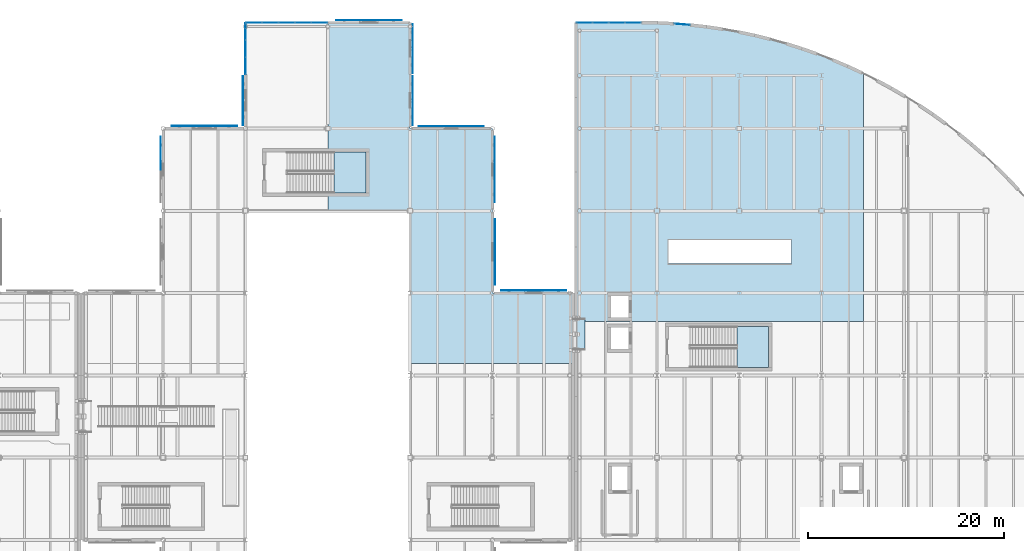
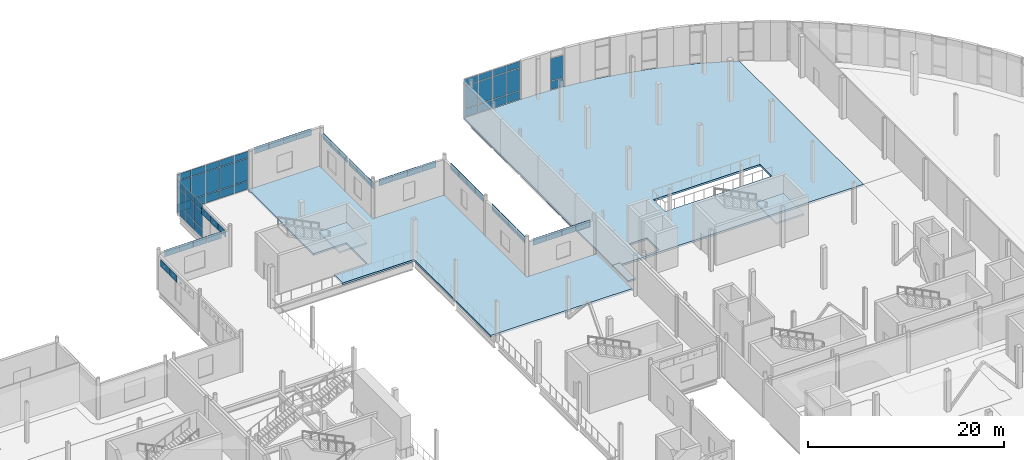
# One storey, part 62 of 104: 73 plates, 5 slabs, 6 elements without a shape of their own.
"""IFC4 building model written with IfcOpenShell, lengths in metres."""

from ifc_helpers import new_model, si_unit, direction, frame, origin, origin_2d, place, context, subcontext, project, spatial, polyline, rectangle, outline, extrude, material, layer, layer_set, type_object, element, aggregate, save


model = new_model("IFC4")

# Units and contexts
model_context = context("Model", 3, precision=1e-05, world=origin(), true_north=direction((0.0, 1.0)))
body_context = subcontext(model_context, "Body", "Model", "MODEL_VIEW")
ifc_project = project(units=[si_unit("LENGTHUNIT", "METRE"), si_unit("AREAUNIT", "SQUARE_METRE"), si_unit("VOLUMEUNIT", "CUBIC_METRE"), si_unit("PLANEANGLEUNIT", "RADIAN"), si_unit("MASSUNIT", "GRAM", prefix="KILO"), si_unit("THERMODYNAMICTEMPERATUREUNIT", "KELVIN")], contexts=[model_context])

# Site, building, storey
site_placement = place(None, origin())
site = spatial("IfcSite", under=ifc_project, at=site_placement, CompositionType="ELEMENT")
building_placement = place(site_placement, origin())
building = spatial("IfcBuilding", under=site, at=building_placement, Name="Lustrewick Department Store", CompositionType="ELEMENT")
storey_placement = place(building_placement, frame((0.0, 0.0, 11.39990234375)))
storey = spatial("IfcBuildingStorey", under=building, at=storey_placement, Name="L03", CompositionType="ELEMENT", Elevation=11.39990234375)

# Curtain wall, plates
ifc_material_1 = material(Name="Thermally broken aluminium 6063-T5", Category="aluminium")
ifc_layer_1 = layer(ifc_material_1, 0.179931640625, Name="Thermally broken aluminium 6063-T5")
ifc_layer_set_1 = layer_set([ifc_layer_1], Name="Thermally broken aluminium 6063-T5")
curtain_wall_type_1 = type_object("IfcCurtainWallType", Name="CW11", PredefinedType="NOTDEFINED", material=ifc_layer_set_1)
curtain_wall_1_placement = place(storey_placement, origin())
curtain_wall_1 = element("IfcCurtainWall", 1, at=curtain_wall_1_placement, inside=storey, type_object=curtain_wall_type_1, Name="L03 V4 Curtain Wall CW11", PredefinedType="NOTDEFINED")
ifc_material_2 = material(Name="Low-E laminated safety glass", Category="glass")
ifc_layer_2 = layer(ifc_material_2, 0.02392578125, Name="Low-E laminated safety glass")
ifc_layer_set_2 = layer_set([ifc_layer_2], Name="Low-E laminated safety glass")
plate_type_1 = type_object("IfcPlateType", Name="CP01", PredefinedType="CURTAIN_PANEL", material=ifc_layer_set_2)
plate_1_placement = place(storey_placement, frame((115.152587890625, 111.60009765625, 0.065185546875), z_axis=(0.0, 0.0, 1.0), x_axis=(-1.0, 0.0, 0.0)))
plate_1 = element("IfcPlate", 2, at=plate_1_placement, type_object=plate_type_1, Name="CW11 panel 1.1", PredefinedType="CURTAIN_PANEL", context=body_context, shape_type="SweptSolid", body=[
    extrude(rectangle(XDim=1.56494140625, YDim=0.02392578125, at=origin_2d()), origin(), (0.0, 0.0, 1.0), 1.00244140625),
])
plate_2_placement = place(storey_placement, frame((115.152587890625, 111.60009765625, 1.1328125), z_axis=(0.0, 0.0, 1.0), x_axis=(-1.0, 0.0, 0.0)))
plate_2 = element("IfcPlate", 3, at=plate_2_placement, type_object=plate_type_1, Name="CW11 panel 1.2", PredefinedType="CURTAIN_PANEL", context=body_context, shape_type="SweptSolid", body=[
    extrude(rectangle(XDim=1.56494140625, YDim=0.02392578125, at=origin_2d()), origin(), (0.0, 0.0, 1.0), 2.780029296875),
])
plate_3_placement = place(storey_placement, frame((115.152587890625, 111.60009765625, 3.9775390625), z_axis=(0.0, 0.0, 1.0), x_axis=(-1.0, 0.0, 0.0)))
plate_3 = element("IfcPlate", 4, at=plate_3_placement, type_object=plate_type_1, Name="CW11 panel 1.3", PredefinedType="CURTAIN_PANEL", context=body_context, shape_type="SweptSolid", body=[
    extrude(rectangle(XDim=1.56494140625, YDim=0.02392578125, at=origin_2d()), origin(), (0.0, 0.0, 1.0), 0.802490234375),
])
plate_4_placement = place(storey_placement, frame((113.50634765625, 111.60009765625, 0.065185546875), z_axis=(0.0, 0.0, 1.0), x_axis=(-1.0, 0.0, 0.0)))
plate_4 = element("IfcPlate", 5, at=plate_4_placement, type_object=plate_type_1, Name="CW11 panel 2.1", PredefinedType="CURTAIN_PANEL", context=body_context, shape_type="SweptSolid", body=[
    extrude(rectangle(XDim=1.597412109375, YDim=0.02392578125, at=origin_2d()), origin(), (0.0, 0.0, 1.0), 1.00244140625),
])
plate_5_placement = place(storey_placement, frame((113.50634765625, 111.60009765625, 1.1328125), z_axis=(0.0, 0.0, 1.0), x_axis=(-1.0, 0.0, 0.0)))
plate_5 = element("IfcPlate", 6, at=plate_5_placement, type_object=plate_type_1, Name="CW11 panel 2.2", PredefinedType="CURTAIN_PANEL", context=body_context, shape_type="SweptSolid", body=[
    extrude(rectangle(XDim=1.597412109375, YDim=0.02392578125, at=origin_2d()), origin(), (0.0, 0.0, 1.0), 2.780029296875),
])
plate_6_placement = place(storey_placement, frame((113.50634765625, 111.60009765625, 3.9775390625), z_axis=(0.0, 0.0, 1.0), x_axis=(-1.0, 0.0, 0.0)))
plate_6 = element("IfcPlate", 7, at=plate_6_placement, type_object=plate_type_1, Name="CW11 panel 2.3", PredefinedType="CURTAIN_PANEL", context=body_context, shape_type="SweptSolid", body=[
    extrude(rectangle(XDim=1.597412109375, YDim=0.02392578125, at=origin_2d()), origin(), (0.0, 0.0, 1.0), 0.802490234375),
])
plate_7_placement = place(storey_placement, frame((111.84375, 111.60009765625, 0.065185546875), z_axis=(0.0, 0.0, 1.0), x_axis=(-1.0, 0.0, 0.0)))
plate_7 = element("IfcPlate", 8, at=plate_7_placement, type_object=plate_type_1, Name="CW11 panel 3.1", PredefinedType="CURTAIN_PANEL", context=body_context, shape_type="SweptSolid", body=[
    extrude(rectangle(XDim=1.597412109375, YDim=0.02392578125, at=origin_2d()), origin(), (0.0, 0.0, 1.0), 1.00244140625),
])
plate_8_placement = place(storey_placement, frame((111.84375, 111.60009765625, 1.1328125), z_axis=(0.0, 0.0, 1.0), x_axis=(-1.0, 0.0, 0.0)))
plate_8 = element("IfcPlate", 9, at=plate_8_placement, type_object=plate_type_1, Name="CW11 panel 3.2", PredefinedType="CURTAIN_PANEL", context=body_context, shape_type="SweptSolid", body=[
    extrude(rectangle(XDim=1.597412109375, YDim=0.02392578125, at=origin_2d()), origin(), (0.0, 0.0, 1.0), 2.780029296875),
])
plate_9_placement = place(storey_placement, frame((111.84375, 111.60009765625, 3.9775390625), z_axis=(0.0, 0.0, 1.0), x_axis=(-1.0, 0.0, 0.0)))
plate_9 = element("IfcPlate", 10, at=plate_9_placement, type_object=plate_type_1, Name="CW11 panel 3.3", PredefinedType="CURTAIN_PANEL", context=body_context, shape_type="SweptSolid", body=[
    extrude(rectangle(XDim=1.597412109375, YDim=0.02392578125, at=origin_2d()), origin(), (0.0, 0.0, 1.0), 0.802490234375),
])
plate_10_placement = place(storey_placement, frame((110.197509765625, 111.60009765625, 0.065185546875), z_axis=(0.0, 0.0, 1.0), x_axis=(-1.0, 0.0, 0.0)))
plate_10 = element("IfcPlate", 11, at=plate_10_placement, type_object=plate_type_1, Name="CW11 panel 4.1", PredefinedType="CURTAIN_PANEL", context=body_context, shape_type="SweptSolid", body=[
    extrude(rectangle(XDim=1.56494140625, YDim=0.02392578125, at=origin_2d()), origin(), (0.0, 0.0, 1.0), 1.00244140625),
])
plate_11_placement = place(storey_placement, frame((110.197509765625, 111.60009765625, 1.1328125), z_axis=(0.0, 0.0, 1.0), x_axis=(-1.0, 0.0, 0.0)))
plate_11 = element("IfcPlate", 12, at=plate_11_placement, type_object=plate_type_1, Name="CW11 panel 4.2", PredefinedType="CURTAIN_PANEL", context=body_context, shape_type="SweptSolid", body=[
    extrude(rectangle(XDim=1.56494140625, YDim=0.02392578125, at=origin_2d()), origin(), (0.0, 0.0, 1.0), 2.780029296875),
])
plate_12_placement = place(storey_placement, frame((110.197509765625, 111.60009765625, 3.9775390625), z_axis=(0.0, 0.0, 1.0), x_axis=(-1.0, 0.0, 0.0)))
plate_12 = element("IfcPlate", 13, at=plate_12_placement, type_object=plate_type_1, Name="CW11 panel 4.3", PredefinedType="CURTAIN_PANEL", context=body_context, shape_type="SweptSolid", body=[
    extrude(rectangle(XDim=1.56494140625, YDim=0.02392578125, at=origin_2d()), origin(), (0.0, 0.0, 1.0), 0.802490234375),
])
aggregate(curtain_wall_1, [plate_1, plate_2, plate_3, plate_4, plate_5, plate_6, plate_7, plate_8, plate_9, plate_10, plate_11, plate_12])

ifc_layer_3 = layer(ifc_material_1, 0.1298828125, Name="Thermally broken aluminium 6063-T5")
ifc_layer_set_3 = layer_set([ifc_layer_3], Name="Thermally broken aluminium 6063-T5")
curtain_wall_type_2 = type_object("IfcCurtainWallType", Name="CW07", PredefinedType="NOTDEFINED", material=ifc_layer_set_3)
curtain_wall_2_placement = place(storey_placement, origin())
curtain_wall_2 = element("IfcCurtainWall", 14, at=curtain_wall_2_placement, inside=storey, type_object=curtain_wall_type_2, Name="L03 V2 Curtain Wall CW07", PredefinedType="NOTDEFINED")
ifc_layer_4 = layer(ifc_material_2, 0.02587890625, Name="Low-E laminated safety glass")
ifc_layer_set_4 = layer_set([ifc_layer_4], Name="Low-E laminated safety glass")
plate_type_2 = type_object("IfcPlateType", Name="CP02", PredefinedType="CURTAIN_PANEL", material=ifc_layer_set_4)
plate_13_placement = place(storey_placement, frame((83.146240234375, 111.60009765625, 0.05517578125), z_axis=(0.0, 0.0, 1.0), x_axis=(-1.0, 0.0, 0.0)))
plate_13 = element("IfcPlate", 15, at=plate_13_placement, type_object=plate_type_2, Name="CW07 panel 1.1", PredefinedType="CURTAIN_PANEL", context=body_context, shape_type="SweptSolid", body=[
    extrude(rectangle(XDim=1.597412109375, YDim=0.02587890625, at=origin_2d()), origin(), (0.0, 0.0, 1.0), 1.017578125),
])
plate_14_placement = place(storey_placement, frame((83.146240234375, 111.60009765625, 1.127685546875), z_axis=(0.0, 0.0, 1.0), x_axis=(-1.0, 0.0, 0.0)))
plate_14 = element("IfcPlate", 16, at=plate_14_placement, type_object=plate_type_2, Name="CW07 panel 1.2", PredefinedType="CURTAIN_PANEL", context=body_context, shape_type="SweptSolid", body=[
    extrude(rectangle(XDim=1.597412109375, YDim=0.02587890625, at=origin_2d()), origin(), (0.0, 0.0, 1.0), 2.7900390625),
])
plate_15_placement = place(storey_placement, frame((83.146240234375, 111.60009765625, 3.97265625), z_axis=(0.0, 0.0, 1.0), x_axis=(-1.0, 0.0, 0.0)))
plate_15 = element("IfcPlate", 17, at=plate_15_placement, type_object=plate_type_2, Name="CW07 panel 1.3", PredefinedType="CURTAIN_PANEL", context=body_context, shape_type="SweptSolid", body=[
    extrude(rectangle(XDim=1.597412109375, YDim=0.02587890625, at=origin_2d()), origin(), (0.0, 0.0, 1.0), 0.8173828125),
])
plate_16_placement = place(storey_placement, frame((81.47998046875, 111.60009765625, 0.05517578125), z_axis=(0.0, 0.0, 1.0), x_axis=(-1.0, 0.0, 0.0)))
plate_16 = element("IfcPlate", 18, at=plate_16_placement, type_object=plate_type_2, Name="CW07 panel 2.1", PredefinedType="CURTAIN_PANEL", context=body_context, shape_type="SweptSolid", body=[
    extrude(rectangle(XDim=1.625, YDim=0.02587890625, at=origin_2d()), origin(), (0.0, 0.0, 1.0), 1.017578125),
])
plate_17_placement = place(storey_placement, frame((81.47998046875, 111.60009765625, 1.127685546875), z_axis=(0.0, 0.0, 1.0), x_axis=(-1.0, 0.0, 0.0)))
plate_17 = element("IfcPlate", 19, at=plate_17_placement, type_object=plate_type_2, Name="CW07 panel 2.2", PredefinedType="CURTAIN_PANEL", context=body_context, shape_type="SweptSolid", body=[
    extrude(rectangle(XDim=1.625, YDim=0.02587890625, at=origin_2d()), origin(), (0.0, 0.0, 1.0), 2.7900390625),
])
plate_18_placement = place(storey_placement, frame((81.47998046875, 111.60009765625, 3.97265625), z_axis=(0.0, 0.0, 1.0), x_axis=(-1.0, 0.0, 0.0)))
plate_18 = element("IfcPlate", 20, at=plate_18_placement, type_object=plate_type_2, Name="CW07 panel 2.3", PredefinedType="CURTAIN_PANEL", context=body_context, shape_type="SweptSolid", body=[
    extrude(rectangle(XDim=1.625, YDim=0.02587890625, at=origin_2d()), origin(), (0.0, 0.0, 1.0), 0.8173828125),
])
plate_19_placement = place(storey_placement, frame((79.800048828125, 111.60009765625, 0.05517578125), z_axis=(0.0, 0.0, 1.0), x_axis=(-1.0, 0.0, 0.0)))
plate_19 = element("IfcPlate", 21, at=plate_19_placement, type_object=plate_type_2, Name="CW07 panel 3.1", PredefinedType="CURTAIN_PANEL", context=body_context, shape_type="SweptSolid", body=[
    extrude(rectangle(XDim=1.625, YDim=0.02587890625, at=origin_2d()), origin(), (0.0, 0.0, 1.0), 1.017578125),
])
plate_20_placement = place(storey_placement, frame((79.800048828125, 111.60009765625, 1.127685546875), z_axis=(0.0, 0.0, 1.0), x_axis=(-1.0, 0.0, 0.0)))
plate_20 = element("IfcPlate", 22, at=plate_20_placement, type_object=plate_type_2, Name="CW07 panel 3.2", PredefinedType="CURTAIN_PANEL", context=body_context, shape_type="SweptSolid", body=[
    extrude(rectangle(XDim=1.625, YDim=0.02587890625, at=origin_2d()), origin(), (0.0, 0.0, 1.0), 2.7900390625),
])
plate_21_placement = place(storey_placement, frame((79.800048828125, 111.60009765625, 3.97265625), z_axis=(0.0, 0.0, 1.0), x_axis=(-1.0, 0.0, 0.0)))
plate_21 = element("IfcPlate", 23, at=plate_21_placement, type_object=plate_type_2, Name="CW07 panel 3.3", PredefinedType="CURTAIN_PANEL", context=body_context, shape_type="SweptSolid", body=[
    extrude(rectangle(XDim=1.625, YDim=0.02587890625, at=origin_2d()), origin(), (0.0, 0.0, 1.0), 0.8173828125),
])
plate_22_placement = place(storey_placement, frame((78.1201171875, 111.60009765625, 0.05517578125), z_axis=(0.0, 0.0, 1.0), x_axis=(-1.0, 0.0, 0.0)))
plate_22 = element("IfcPlate", 24, at=plate_22_placement, type_object=plate_type_2, Name="CW07 panel 4.1", PredefinedType="CURTAIN_PANEL", context=body_context, shape_type="SweptSolid", body=[
    extrude(rectangle(XDim=1.625, YDim=0.02587890625, at=origin_2d()), origin(), (0.0, 0.0, 1.0), 1.017578125),
])
plate_23_placement = place(storey_placement, frame((78.1201171875, 111.60009765625, 1.127685546875), z_axis=(0.0, 0.0, 1.0), x_axis=(-1.0, 0.0, 0.0)))
plate_23 = element("IfcPlate", 25, at=plate_23_placement, type_object=plate_type_2, Name="CW07 panel 4.2", PredefinedType="CURTAIN_PANEL", context=body_context, shape_type="SweptSolid", body=[
    extrude(rectangle(XDim=1.625, YDim=0.02587890625, at=origin_2d()), origin(), (0.0, 0.0, 1.0), 2.7900390625),
])
plate_24_placement = place(storey_placement, frame((78.1201171875, 111.60009765625, 3.97265625), z_axis=(0.0, 0.0, 1.0), x_axis=(-1.0, 0.0, 0.0)))
plate_24 = element("IfcPlate", 26, at=plate_24_placement, type_object=plate_type_2, Name="CW07 panel 4.3", PredefinedType="CURTAIN_PANEL", context=body_context, shape_type="SweptSolid", body=[
    extrude(rectangle(XDim=1.625, YDim=0.02587890625, at=origin_2d()), origin(), (0.0, 0.0, 1.0), 0.8173828125),
])
plate_25_placement = place(storey_placement, frame((76.453857421875, 111.60009765625, 0.05517578125), z_axis=(0.0, 0.0, 1.0), x_axis=(-1.0, 0.0, 0.0)))
plate_25 = element("IfcPlate", 27, at=plate_25_placement, type_object=plate_type_2, Name="CW07 panel 5.1", PredefinedType="CURTAIN_PANEL", context=body_context, shape_type="SweptSolid", body=[
    extrude(rectangle(XDim=1.597412109375, YDim=0.02587890625, at=origin_2d()), origin(), (0.0, 0.0, 1.0), 1.017578125),
])
plate_26_placement = place(storey_placement, frame((76.453857421875, 111.60009765625, 1.127685546875), z_axis=(0.0, 0.0, 1.0), x_axis=(-1.0, 0.0, 0.0)))
plate_26 = element("IfcPlate", 28, at=plate_26_placement, type_object=plate_type_2, Name="CW07 panel 5.2", PredefinedType="CURTAIN_PANEL", context=body_context, shape_type="SweptSolid", body=[
    extrude(rectangle(XDim=1.597412109375, YDim=0.02587890625, at=origin_2d()), origin(), (0.0, 0.0, 1.0), 2.7900390625),
])
plate_27_placement = place(storey_placement, frame((76.453857421875, 111.60009765625, 3.97265625), z_axis=(0.0, 0.0, 1.0), x_axis=(-1.0, 0.0, 0.0)))
plate_27 = element("IfcPlate", 29, at=plate_27_placement, type_object=plate_type_2, Name="CW07 panel 5.3", PredefinedType="CURTAIN_PANEL", context=body_context, shape_type="SweptSolid", body=[
    extrude(rectangle(XDim=1.597412109375, YDim=0.02587890625, at=origin_2d()), origin(), (0.0, 0.0, 1.0), 0.8173828125),
])
aggregate(curtain_wall_2, [plate_13, plate_14, plate_15, plate_16, plate_17, plate_18, plate_19, plate_20, plate_21, plate_22, plate_23, plate_24, plate_25, plate_26, plate_27])

ifc_layer_5 = layer(ifc_material_1, 0.1201171875, Name="Thermally broken aluminium 6063-T5")
ifc_layer_set_5 = layer_set([ifc_layer_5], Name="Thermally broken aluminium 6063-T5")
curtain_wall_type_3 = type_object("IfcCurtainWallType", Name="CW08", PredefinedType="NOTDEFINED", material=ifc_layer_set_5)
curtain_wall_3_placement = place(storey_placement, origin())
curtain_wall_3 = element("IfcCurtainWall", 30, at=curtain_wall_3_placement, inside=storey, type_object=curtain_wall_type_3, Name="L03 V2 Curtain Wall CW08", PredefinedType="NOTDEFINED")
ifc_layer_6 = layer(ifc_material_2, 0.028076171875, Name="Low-E laminated safety glass")
ifc_layer_set_6 = layer_set([ifc_layer_6], Name="Low-E laminated safety glass")
plate_type_3 = type_object("IfcPlateType", Name="CP03", PredefinedType="CURTAIN_PANEL", material=ifc_layer_set_6)
plate_28_placement = place(storey_placement, frame((75.60009765625, 110.7041015625, 0.050048828125), z_axis=(0.0, 0.0, 1.0), x_axis=(0.0, -1.0, 0.0)))
plate_28 = element("IfcPlate", 31, at=plate_28_placement, type_object=plate_type_3, Name="CW08 panel 1.1", PredefinedType="CURTAIN_PANEL", context=body_context, shape_type="SweptSolid", body=[
    extrude(rectangle(XDim=1.69189453125, YDim=0.028076171875, at=origin_2d()), origin(), (0.0, 0.0, 1.0), 1.02490234375),
])
plate_29_placement = place(storey_placement, frame((75.60009765625, 110.7041015625, 1.125244140625), z_axis=(0.0, 0.0, 1.0), x_axis=(0.0, -1.0, 0.0)))
plate_29 = element("IfcPlate", 32, at=plate_29_placement, type_object=plate_type_3, Name="CW08 panel 1.2", PredefinedType="CURTAIN_PANEL", context=body_context, shape_type="SweptSolid", body=[
    extrude(rectangle(XDim=1.69189453125, YDim=0.028076171875, at=origin_2d()), origin(), (0.0, 0.0, 1.0), 2.19091796875),
])
plate_30_placement = place(storey_placement, frame((75.60009765625, 110.7041015625, 3.3662109375), z_axis=(0.0, 0.0, 1.0), x_axis=(0.0, -1.0, 0.0)))
plate_30 = element("IfcPlate", 33, at=plate_30_placement, type_object=plate_type_3, Name="CW08 panel 1.3", PredefinedType="CURTAIN_PANEL", context=body_context, shape_type="SweptSolid", body=[
    extrude(rectangle(XDim=1.69189453125, YDim=0.028076171875, at=origin_2d()), origin(), (0.0, 0.0, 1.0), 0.824951171875),
])
plate_31_placement = place(storey_placement, frame((75.60009765625, 108.949462890625, 0.050048828125), z_axis=(0.0, 0.0, 1.0), x_axis=(0.0, -1.0, 0.0)))
plate_31 = element("IfcPlate", 34, at=plate_31_placement, type_object=plate_type_3, Name="CW08 panel 2.1", PredefinedType="CURTAIN_PANEL", context=body_context, shape_type="SweptSolid", body=[
    extrude(rectangle(XDim=1.717041015625, YDim=0.028076171875, at=origin_2d()), origin(), (0.0, 0.0, 1.0), 1.02490234375),
])
plate_32_placement = place(storey_placement, frame((75.60009765625, 108.949462890625, 1.125244140625), z_axis=(0.0, 0.0, 1.0), x_axis=(0.0, -1.0, 0.0)))
plate_32 = element("IfcPlate", 35, at=plate_32_placement, type_object=plate_type_3, Name="CW08 panel 2.2", PredefinedType="CURTAIN_PANEL", context=body_context, shape_type="SweptSolid", body=[
    extrude(rectangle(XDim=1.717041015625, YDim=0.028076171875, at=origin_2d()), origin(), (0.0, 0.0, 1.0), 2.19091796875),
])
plate_33_placement = place(storey_placement, frame((75.60009765625, 108.949462890625, 3.3662109375), z_axis=(0.0, 0.0, 1.0), x_axis=(0.0, -1.0, 0.0)))
plate_33 = element("IfcPlate", 36, at=plate_33_placement, type_object=plate_type_3, Name="CW08 panel 2.3", PredefinedType="CURTAIN_PANEL", context=body_context, shape_type="SweptSolid", body=[
    extrude(rectangle(XDim=1.717041015625, YDim=0.028076171875, at=origin_2d()), origin(), (0.0, 0.0, 1.0), 0.824951171875),
])
plate_34_placement = place(storey_placement, frame((75.60009765625, 107.195068359375, 0.050048828125), z_axis=(0.0, 0.0, 1.0), x_axis=(0.0, -1.0, 0.0)))
plate_34 = element("IfcPlate", 37, at=plate_34_placement, type_object=plate_type_3, Name="CW08 panel 3.1", PredefinedType="CURTAIN_PANEL", context=body_context, shape_type="SweptSolid", body=[
    extrude(rectangle(XDim=1.69189453125, YDim=0.028076171875, at=origin_2d()), origin(), (0.0, 0.0, 1.0), 1.02490234375),
])
plate_35_placement = place(storey_placement, frame((75.60009765625, 107.195068359375, 1.125244140625), z_axis=(0.0, 0.0, 1.0), x_axis=(0.0, -1.0, 0.0)))
plate_35 = element("IfcPlate", 38, at=plate_35_placement, type_object=plate_type_3, Name="CW08 panel 3.2", PredefinedType="CURTAIN_PANEL", context=body_context, shape_type="SweptSolid", body=[
    extrude(rectangle(XDim=1.69189453125, YDim=0.028076171875, at=origin_2d()), origin(), (0.0, 0.0, 1.0), 2.19091796875),
])
plate_36_placement = place(storey_placement, frame((75.60009765625, 107.195068359375, 3.3662109375), z_axis=(0.0, 0.0, 1.0), x_axis=(0.0, -1.0, 0.0)))
plate_36 = element("IfcPlate", 39, at=plate_36_placement, type_object=plate_type_3, Name="CW08 panel 3.3", PredefinedType="CURTAIN_PANEL", context=body_context, shape_type="SweptSolid", body=[
    extrude(rectangle(XDim=1.69189453125, YDim=0.028076171875, at=origin_2d()), origin(), (0.0, 0.0, 1.0), 0.824951171875),
])
aggregate(curtain_wall_3, [plate_28, plate_29, plate_30, plate_31, plate_32, plate_33, plate_34, plate_35, plate_36])

ifc_layer_7 = layer(ifc_material_1, 0.199951171875, Name="Thermally broken aluminium 6063-T5")
ifc_layer_set_7 = layer_set([ifc_layer_7], Name="Thermally broken aluminium 6063-T5")
curtain_wall_type_4 = type_object("IfcCurtainWallType", Name="CW10", PredefinedType="NOTDEFINED", material=ifc_layer_set_7)
curtain_wall_4_placement = place(storey_placement, origin())
curtain_wall_4 = element("IfcCurtainWall", 40, at=curtain_wall_4_placement, inside=storey, type_object=curtain_wall_type_4, Name="L03 V4 Curtain Wall CW10", PredefinedType="NOTDEFINED")
ifc_material_3 = material(Name="Low-E triple laminated safety glass", Category="glass")
ifc_layer_8 = layer(ifc_material_3, 0.031982421875, Name="Low-E triple laminated safety glass")
ifc_layer_set_8 = layer_set([ifc_layer_8], Name="Low-E triple laminated safety glass")
plate_type_4 = type_object("IfcPlateType", Name="CP05", PredefinedType="CURTAIN_PANEL", material=ifc_layer_set_8)
plate_37_placement = place(storey_placement, frame((120.162353515625, 111.426513671875, 0.070068359375), z_axis=(0.0, 0.0, 1.0), x_axis=(-0.996787558737, 0.08009096545, 0.0)))
plate_37 = element("IfcPlate", 41, at=plate_37_placement, type_object=plate_type_4, Name="CW10 panel 1.1", PredefinedType="CURTAIN_PANEL", context=body_context, shape_type="SweptSolid", body=[
    extrude(rectangle(XDim=1.52685546875, YDim=0.031982421875, at=origin_2d()), origin(), (0.0, 0.0, 1.0), 0.9951171875),
])
plate_38_placement = place(storey_placement, frame((120.162353515625, 111.426513671875, 1.13525390625), z_axis=(0.0, 0.0, 1.0), x_axis=(-0.996787558737, 0.08009096545, 0.0)))
plate_38 = element("IfcPlate", 42, at=plate_38_placement, type_object=plate_type_4, Name="CW10 panel 1.2", PredefinedType="CURTAIN_PANEL", context=body_context, shape_type="SweptSolid", body=[
    extrude(rectangle(XDim=1.52685546875, YDim=0.031982421875, at=origin_2d()), origin(), (0.0, 0.0, 1.0), 2.77490234375),
])
aggregate(curtain_wall_4, [plate_37, plate_38])

# Slabs
ifc_material_4 = material(Name="Concrete C30", Category="concrete")
ifc_layer_9 = layer(ifc_material_4, 0.239990234375, Name="Concrete C30")
ifc_layer_set_9 = layer_set([ifc_layer_9], Name="Concrete C30")
slab_type_1 = type_object("IfcSlabType", Name="FS03", PredefinedType="FLOOR", material=ifc_layer_set_9)
slab_1_placement = place(storey_placement, frame((0.0, 0.0, -0.239990234375)))
element("IfcSlab", 43, at=slab_1_placement, inside=storey, type_object=slab_type_1, Name="L03 V2 Floor Slab FS03", PredefinedType="FLOOR", context=body_context, shape_type="SweptSolid", body=[
    extrude(outline(polyline([(92.39990234375, 111.60009765625), (84.0, 111.60009765625), (84.0, 98.39990234375), (87.89990234375, 98.39990234375), (87.89990234375, 94.199951171875), (84.0, 94.199951171875), (84.0, 92.39990234375), (92.39990234375, 92.39990234375), (92.39990234375, 76.800048828125), (109.050048828125, 76.800048828125), (109.050048828125, 84.0), (100.800048828125, 84.0), (100.800048828125, 100.800048828125), (92.39990234375, 100.800048828125), (92.39990234375, 111.60009765625)])), origin(), (0.0, 0.0, 1.0), 0.239990234375),
])
slab_2_placement = place(storey_placement, frame((0.0, 0.0, -0.239990234375)))
element("IfcSlab", 44, at=slab_2_placement, inside=storey, type_object=slab_type_1, Name="L03 V4 Floor Slab FS03", PredefinedType="FLOOR", context=body_context, shape_type="SweptSolid", body=[
    extrude(outline(polyline([(110.235107421875, 81.405029296875), (110.235107421875, 81.074951171875), (138.675048828125, 81.074951171875), (138.675048828125, 106.393798828125), (138.56201171875, 106.450439453125), (137.048583984375, 107.1494140625), (135.513916015625, 107.7998046875), (133.958984375, 108.400390625), (132.385498046875, 108.950927734375), (130.79541015625, 109.45068359375), (129.18994140625, 109.8994140625), (127.571044921875, 110.29638671875), (125.940185546875, 110.64111328125), (124.29931640625, 110.93359375), (122.649658203125, 111.173095703125), (120.9931640625, 111.359619140625), (119.331787109375, 111.4931640625), (117.666748046875, 111.5732421875), (116.0, 111.60009765625), (109.35009765625, 111.60009765625), (109.35009765625, 81.405029296875), (110.235107421875, 81.405029296875)]), holes=[polyline([(118.800048828125, 87.0), (131.320068359375, 87.0), (131.320068359375, 87.02001953125), (131.320068359375, 89.3798828125), (131.320068359375, 89.39990234375), (118.800048828125, 89.39990234375), (118.800048828125, 89.3798828125), (118.800048828125, 87.02001953125), (118.800048828125, 87.0)]), polyline([(114.85009765625, 81.35009765625), (114.85009765625, 83.85009765625), (112.75, 83.85009765625), (112.75, 81.35009765625), (114.85009765625, 81.35009765625)])]), origin(), (0.0, 0.0, 1.0), 0.239990234375),
])
ifc_layer_10 = layer(ifc_material_4, 0.215087890625, Name="Concrete C30")
ifc_layer_set_10 = layer_set([ifc_layer_10], Name="Concrete C30")
slab_type_2 = type_object("IfcSlabType", Name="FS10", PredefinedType="FLOOR", material=ifc_layer_set_10)
slab_3_placement = place(storey_placement, frame((0.0, 0.0, -0.21484375)))
element("IfcSlab", 45, at=slab_3_placement, inside=storey, type_object=slab_type_2, Name="L03 Skybridge SB24 Deck Slab", PredefinedType="FLOOR", context=body_context, shape_type="SweptSolid", body=[
    extrude(outline(polyline([(110.22998046875, 78.199951171875), (110.22998046875, 81.39990234375), (109.35498046875, 81.39990234375), (109.35498046875, 78.199951171875), (110.22998046875, 78.199951171875)])), origin(), (0.0, 0.0, 1.0), 0.21484375),
])

# Stair, slab
stair_type = type_object("IfcStairType", Name="ST-H51", PredefinedType="HALF_TURN_STAIR", material=ifc_material_4)
stair_1_placement = place(storey_placement, origin())
stair_1 = element("IfcStair", 46, at=stair_1_placement, inside=storey, type_object=stair_type, Name="L03 Smoke-Proof Exit Stair ST06", PredefinedType="HALF_TURN_STAIR")
ifc_layer_11 = layer(ifc_material_4, 0.199951171875, Name="Concrete C30")
ifc_layer_set_11 = layer_set([ifc_layer_11], Name="Concrete C30")
slab_type_3 = type_object("IfcSlabType", Name="LS01", PredefinedType="LANDING", material=ifc_layer_set_11)
slab_4_placement = place(storey_placement, frame((0.0, 0.0, 2.35009765625)))
slab_4 = element("IfcSlab", 47, at=slab_4_placement, type_object=slab_type_3, Name="ST-H51 landing 1", PredefinedType="LANDING", context=body_context, shape_type="SweptSolid", body=[
    extrude(outline(polyline([(84.64990234375, 94.199951171875), (87.89990234375, 94.199951171875), (87.89990234375, 98.39990234375), (84.64990234375, 98.39990234375), (84.64990234375, 94.199951171875)])), origin(), (0.0, 0.0, 1.0), 0.199951171875),
])
aggregate(stair_1, [slab_4])

stair_2_placement = place(storey_placement, origin())
stair_2 = element("IfcStair", 48, at=stair_2_placement, inside=storey, type_object=stair_type, Name="L03 Smoke-Proof Exit Stair ST10", PredefinedType="HALF_TURN_STAIR")
slab_5_placement = place(storey_placement, frame((0.0, 0.0, 2.35009765625)))
slab_5 = element("IfcSlab", 49, at=slab_5_placement, type_object=slab_type_3, Name="ST-H51 landing 1", PredefinedType="LANDING", context=body_context, shape_type="SweptSolid", body=[
    extrude(outline(polyline([(125.75, 76.39990234375), (129.0, 76.39990234375), (129.0, 80.60009765625), (125.75, 80.60009765625), (125.75, 76.39990234375)])), origin(), (0.0, 0.0, 1.0), 0.199951171875),
])
aggregate(stair_2, [slab_5])

# Plates
ifc_material_5 = material(Name="Perforated white powder-coated aluminium 3003-H24", Category="aluminium")
ifc_layer_12 = layer(ifc_material_5, 0.008056640625, Name="Perforated white powder-coated aluminium 3003-H24")
ifc_layer_set_12 = layer_set([ifc_layer_12], Name="Perforated white powder-coated aluminium 3003-H24")
plate_type_5 = type_object("IfcPlateType", Name="PS01", PredefinedType="SHEET", material=ifc_layer_set_12)
for number, where, z_axis, x_axis, name in (
    (50, (66.93603515625, 99.11279296875, 3.47705078125), (0.0, 0.0, 1.0), (0.0, -1.0, 0.0), "L03 Botanical Filigree Cassette PS01 0342"),
    (51, (66.93603515625, 97.4326171875, 3.47705078125), (0.0, 0.0, 1.0), (0.0, -1.0, 0.0), "L03 Botanical Filigree Cassette PS01 0343"),
):
    element("IfcPlate", number, at=place(storey_placement, frame(where, z_axis=z_axis, x_axis=x_axis)), inside=storey, type_object=plate_type_5, Name=name, PredefinedType="SHEET", context=body_context, shape_type="SweptSolid", body=[
        extrude(rectangle(XDim=1.639892578125, YDim=0.008056640625, at=origin_2d()), origin(), (0.0, 0.0, 1.0), 0.840087890625),
    ])
ifc_material_6 = material(Name="Charcoal-black anodized lace aluminium 6061-T6", Category="aluminium")
ifc_layer_13 = layer(ifc_material_6, 0.013916015625, Name="Charcoal-black anodized lace aluminium 6061-T6")
ifc_layer_set_13 = layer_set([ifc_layer_13], Name="Charcoal-black anodized lace aluminium 6061-T6")
plate_type_6 = type_object("IfcPlateType", Name="PS04", PredefinedType="SHEET", material=ifc_layer_set_13)
for number, where, z_axis, x_axis, name in (
    (52, (99.1201171875, 101.047119140625, 3.56689453125), (0.0, 0.0, 1.0), (-1.0, 0.0, 0.0), "L03 Botanical Filigree Cassette PS04 0321"),
    (53, (97.43994140625, 101.047119140625, 3.56689453125), (0.0, 0.0, 1.0), (-1.0, 0.0, 0.0), "L03 Botanical Filigree Cassette PS04 0322"),
    (54, (95.760009765625, 101.047119140625, 3.56689453125), (0.0, 0.0, 1.0), (-1.0, 0.0, 0.0), "L03 Botanical Filigree Cassette PS04 0323"),
    (55, (94.080078125, 101.047119140625, 3.56689453125), (0.0, 0.0, 1.0), (-1.0, 0.0, 0.0), "L03 Botanical Filigree Cassette PS04 0324"),
    (56, (92.656982421875, 101.968505859375, 3.3212890625), (0.0, 0.0, 1.0), (0.0, 1.0, 0.0), "L03 Botanical Filigree Cassette PS04 0325"),
    (57, (92.656982421875, 103.6484375, 3.3212890625), (0.0, 0.0, 1.0), (0.0, 1.0, 0.0), "L03 Botanical Filigree Cassette PS04 0326"),
    (58, (92.656982421875, 105.32861328125, 3.3212890625), (0.0, 0.0, 1.0), (0.0, 1.0, 0.0), "L03 Botanical Filigree Cassette PS04 0327"),
    (59, (92.6669921875, 107.26953125, 3.3212890625), (0.0, 0.0, 1.0), (0.0, 1.0, 0.0), "L03 Botanical Filigree Cassette PS04 0328"),
    (60, (92.6669921875, 108.949462890625, 3.3212890625), (0.0, 0.0, 1.0), (0.0, 1.0, 0.0), "L03 Botanical Filigree Cassette PS04 0329"),
    (61, (92.6669921875, 110.62939453125, 3.3212890625), (0.0, 0.0, 1.0), (0.0, 1.0, 0.0), "L03 Botanical Filigree Cassette PS04 0330"),
    (62, (90.719970703125, 111.866943359375, 3.92529296875), (0.0, 0.0, 1.0), (-1.0, 0.0, 0.0), "L03 Botanical Filigree Cassette PS04 0331"),
    (63, (89.0400390625, 111.866943359375, 3.92529296875), (0.0, 0.0, 1.0), (-1.0, 0.0, 0.0), "L03 Botanical Filigree Cassette PS04 0332"),
    (64, (87.360107421875, 111.866943359375, 3.92529296875), (0.0, 0.0, 1.0), (-1.0, 0.0, 0.0), "L03 Botanical Filigree Cassette PS04 0333"),
    (65, (85.679931640625, 111.866943359375, 3.92529296875), (0.0, 0.0, 1.0), (-1.0, 0.0, 0.0), "L03 Botanical Filigree Cassette PS04 0334"),
    (66, (75.343017578125, 105.32861328125, 3.3212890625), (0.0, 0.0, 1.0), (0.0, -1.0, 0.0), "L03 Botanical Filigree Cassette PS04 0335"),
    (67, (75.343017578125, 103.6484375, 3.3212890625), (0.0, 0.0, 1.0), (0.0, -1.0, 0.0), "L03 Botanical Filigree Cassette PS04 0336"),
    (68, (75.343017578125, 101.968505859375, 3.3212890625), (0.0, 0.0, 1.0), (0.0, -1.0, 0.0), "L03 Botanical Filigree Cassette PS04 0337"),
    (69, (73.919921875, 101.056884765625, 3.56689453125), (0.0, 0.0, 1.0), (-1.0, 0.0, 0.0), "L03 Botanical Filigree Cassette PS04 0338"),
    (70, (72.239990234375, 101.056884765625, 3.56689453125), (0.0, 0.0, 1.0), (-1.0, 0.0, 0.0), "L03 Botanical Filigree Cassette PS04 0339"),
    (71, (70.56005859375, 101.056884765625, 3.56689453125), (0.0, 0.0, 1.0), (-1.0, 0.0, 0.0), "L03 Botanical Filigree Cassette PS04 0340"),
    (72, (68.8798828125, 101.056884765625, 3.56689453125), (0.0, 0.0, 1.0), (-1.0, 0.0, 0.0), "L03 Botanical Filigree Cassette PS04 0341"),
):
    element("IfcPlate", number, at=place(storey_placement, frame(where, z_axis=z_axis, x_axis=x_axis)), inside=storey, type_object=plate_type_6, Name=name, PredefinedType="SHEET", context=body_context, shape_type="SweptSolid", body=[
        extrude(rectangle(XDim=1.639892578125, YDim=0.013916015625, at=origin_2d()), origin(), (0.0, 0.0, 1.0), 0.840087890625),
    ])
ifc_material_7 = material(Name="Sage-green enamelled aluminium spandrel 3003-H24", Category="aluminium")
ifc_layer_14 = layer(ifc_material_7, 0.01611328125, Name="Sage-green enamelled aluminium spandrel 3003-H24")
ifc_layer_set_14 = layer_set([ifc_layer_14], Name="Sage-green enamelled aluminium spandrel 3003-H24")
plate_type_7 = type_object("IfcPlateType", Name="PS05", PredefinedType="SHEET", material=ifc_layer_set_14)
for number, where, z_axis, x_axis, name in (
    (73, (107.5439453125, 84.258056640625, 3.4111328125), (0.0, 0.0, 1.0), (-1.0, 0.0, 0.0), "L03 Botanical Filigree Cassette PS05 0309"),
    (74, (105.864013671875, 84.258056640625, 3.4111328125), (0.0, 0.0, 1.0), (-1.0, 0.0, 0.0), "L03 Botanical Filigree Cassette PS05 0310"),
    (75, (104.18408203125, 84.258056640625, 3.4111328125), (0.0, 0.0, 1.0), (-1.0, 0.0, 0.0), "L03 Botanical Filigree Cassette PS05 0311"),
    (76, (102.50390625, 84.258056640625, 3.4111328125), (0.0, 0.0, 1.0), (-1.0, 0.0, 0.0), "L03 Botanical Filigree Cassette PS05 0312"),
    (77, (101.068115234375, 85.687255859375, 3.56689453125), (0.0, 0.0, 1.0), (0.0, 1.0, 0.0), "L03 Botanical Filigree Cassette PS05 0313"),
    (78, (101.068115234375, 87.3671875, 3.56689453125), (0.0, 0.0, 1.0), (0.0, 1.0, 0.0), "L03 Botanical Filigree Cassette PS05 0314"),
    (79, (101.068115234375, 89.047119140625, 3.56689453125), (0.0, 0.0, 1.0), (0.0, 1.0, 0.0), "L03 Botanical Filigree Cassette PS05 0315"),
    (80, (101.068115234375, 90.727294921875, 3.56689453125), (0.0, 0.0, 1.0), (0.0, 1.0, 0.0), "L03 Botanical Filigree Cassette PS05 0316"),
    (81, (101.048095703125, 94.07275390625, 3.56689453125), (0.0, 0.0, 1.0), (0.0, 1.0, 0.0), "L03 Botanical Filigree Cassette PS05 0317"),
    (82, (101.048095703125, 95.752685546875, 3.56689453125), (0.0, 0.0, 1.0), (0.0, 1.0, 0.0), "L03 Botanical Filigree Cassette PS05 0318"),
    (83, (101.048095703125, 97.4326171875, 3.56689453125), (0.0, 0.0, 1.0), (0.0, 1.0, 0.0), "L03 Botanical Filigree Cassette PS05 0319"),
    (84, (101.048095703125, 99.11279296875, 3.56689453125), (0.0, 0.0, 1.0), (0.0, 1.0, 0.0), "L03 Botanical Filigree Cassette PS05 0320"),
):
    element("IfcPlate", number, at=place(storey_placement, frame(where, z_axis=z_axis, x_axis=x_axis)), inside=storey, type_object=plate_type_7, Name=name, PredefinedType="SHEET", context=body_context, shape_type="SweptSolid", body=[
        extrude(rectangle(XDim=1.639892578125, YDim=0.01611328125, at=origin_2d()), origin(), (0.0, 0.0, 1.0), 0.840087890625),
    ])

save(model, "model.ifc")
